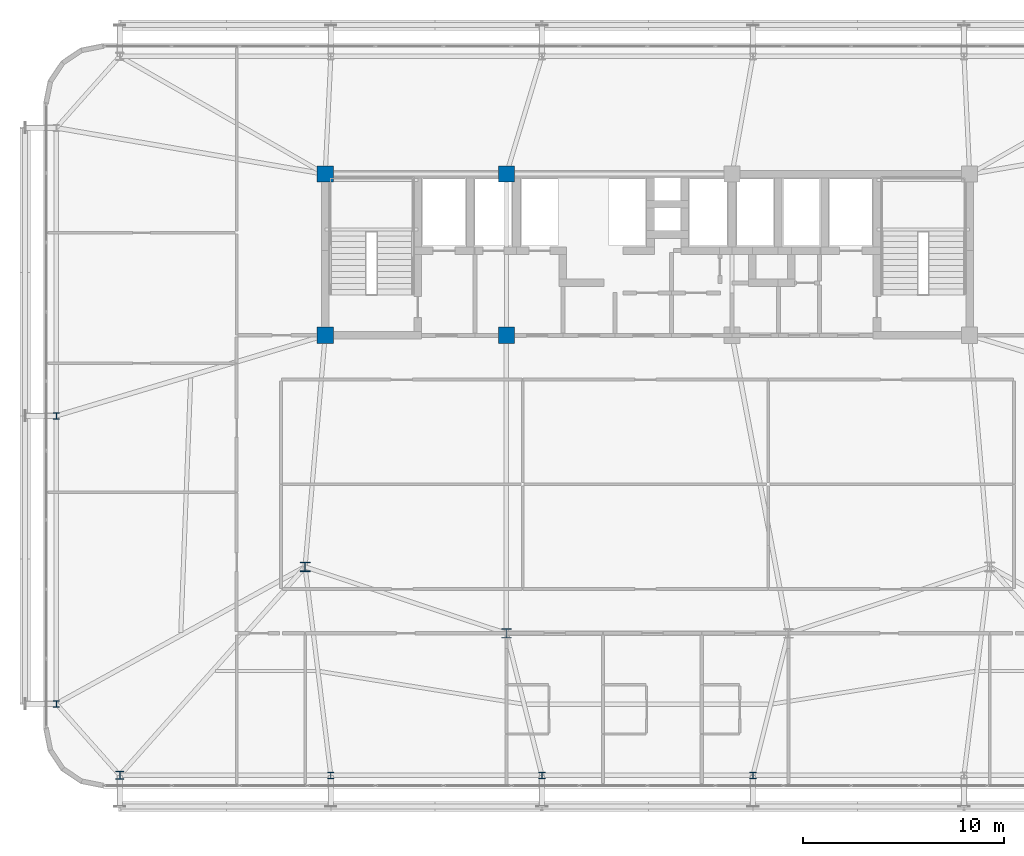
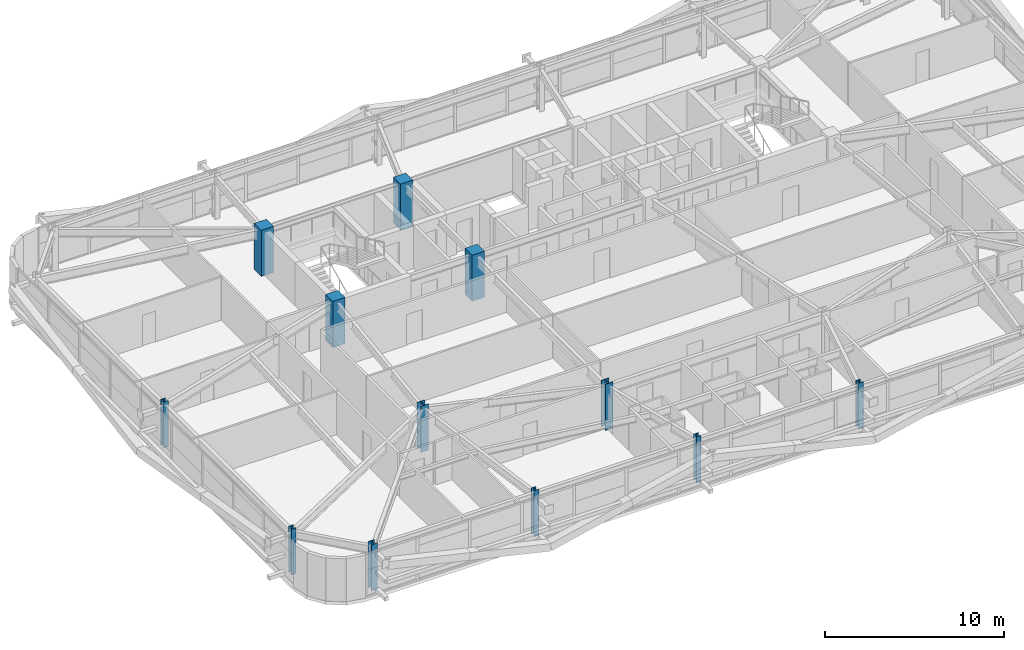
# One storey, part 1 of 59: 12 columns.
"""IFC4 building model written with IfcOpenShell, lengths in metres."""

from ifc_helpers import new_model, si_unit, direction, frame, origin, origin_2d, place, context, subcontext, project, spatial, rectangle, i_section, extrude, source, transform, mapped, material, material_profile, profile_set, type_object, element, save


model = new_model("IFC4")

# Units and contexts
model_context = context("Model", 3, precision=1e-05, world=origin(), true_north=direction((0.0, 1.0)))
body_context = subcontext(model_context, "Body", "Model", "MODEL_VIEW")
ifc_project = project(units=[si_unit("LENGTHUNIT", "METRE"), si_unit("AREAUNIT", "SQUARE_METRE"), si_unit("VOLUMEUNIT", "CUBIC_METRE"), si_unit("PLANEANGLEUNIT", "RADIAN"), si_unit("MASSUNIT", "GRAM", prefix="KILO")], contexts=[model_context])

# Site, building, storey
site_placement = place(None, origin())
site = spatial("IfcSite", under=ifc_project, at=site_placement, CompositionType="ELEMENT")
building_placement = place(site_placement, origin())
building = spatial("IfcBuilding", under=site, at=building_placement, Name="Taldren Reach Tower", CompositionType="ELEMENT")
storey_placement = place(building_placement, frame((0.0, 0.0, 45.14990234375)))
storey = spatial("IfcBuildingStorey", under=building, at=storey_placement, Name="L13", CompositionType="ELEMENT", Elevation=45.14990234375)

# Columns
ifc_material_1 = material(Name="Concrete S65 (65 MPa)", Category="concrete")
ifc_material_profile_1 = material_profile(ifc_material_1, rectangle(XDim=0.800048828125, YDim=0.800048828125, at=origin_2d()), Name="RC-800x800")
ifc_profile_set_1 = profile_set([ifc_material_profile_1], Name="Concrete S65 (65 MPa)")
column_type_1 = type_object("IfcColumnType", Name="COL-RC800", PredefinedType="COLUMN", material=ifc_profile_set_1)
shared_shape_1 = source(origin(), body_context, "Body", "SweptSolid", [
    extrude(rectangle(XDim=0.800048828125, YDim=0.800048828125, at=origin_2d()), origin(), (0.0, 0.0, 1.0), 3.150146484375),
])
for number, where, z_axis, x_axis, name in (
    (1, (19.0, 24.0, 0.0), (0.0, 0.0, 1.0), (1.0, 0.0, 0.0), "Mega column MC-C1 L13"),
    (2, (28.0, 24.0, 0.0), (0.0, 0.0, 1.0), (1.0, 0.0, 0.0), "Mega column MC-C2 L13"),
    (3, (19.0, 32.0, 0.0), (0.0, 0.0, 1.0), (1.0, 0.0, 0.0), "Mega column MC-C5 L13"),
    (4, (28.0, 32.0, 0.0), (0.0, 0.0, 1.0), (1.0, 0.0, 0.0), "Mega column MC-C6 L13"),
):
    element("IfcColumn", number, at=place(storey_placement, frame(where, z_axis=z_axis, x_axis=x_axis)), inside=storey, type_object=column_type_1, Name=name, PredefinedType="COLUMN", context=body_context, shape_type="MappedRepresentation", body=[
        mapped(shared_shape_1, transform((0.0, 0.0, 0.0), scale=1.0)),
    ])
ifc_material_2 = material(Name="Steel Gr 350 (350PLUS)", Category="steel")
ifc_material_profile_2 = material_profile(ifc_material_2, i_section(OverallWidth=0.5, OverallDepth=0.47998046875, WebThickness=0.028076171875, FlangeThickness=0.0439453125, at=origin_2d()), Name="500WC440")
ifc_profile_set_2 = profile_set([ifc_material_profile_2], Name="Steel Gr 350 (350PLUS)")
column_type_2 = type_object("IfcColumnType", Name="COL-WC500A", PredefinedType="COLUMN", material=ifc_profile_set_2)
shared_shape_2 = source(origin(), body_context, "Body", "SweptSolid", [
    extrude(i_section(OverallWidth=0.5, OverallDepth=0.47998046875, WebThickness=0.028076171875, FlangeThickness=0.0439453125, at=origin_2d()), origin(), (0.0, 0.0, 1.0), 3.150146484375),
])
column_1_placement = place(storey_placement, frame((28.0, 9.199951171875, 0.0), z_axis=(0.0, 0.0, 1.0), x_axis=(1.0, 0.0, 0.0)))
element("IfcColumn", 5, at=column_1_placement, inside=storey, type_object=column_type_2, Name="Mega column MC-PJW L13", PredefinedType="COLUMN", context=body_context, shape_type="MappedRepresentation", body=[
    mapped(shared_shape_2, transform((0.0, 0.0, 0.0), scale=1.0)),
])
ifc_material_profile_3 = material_profile(ifc_material_2, i_section(OverallWidth=0.39990234375, OverallDepth=0.39599609375, WebThickness=0.02197265625, FlangeThickness=0.033935546875, at=origin_2d()), Name="400WC270")
ifc_profile_set_3 = profile_set([ifc_material_profile_3], Name="Steel Gr 350 (350PLUS)")
column_type_3 = type_object("IfcColumnType", Name="COL-WC400", PredefinedType="COLUMN", material=ifc_profile_set_3)
shared_shape_3 = source(origin(), body_context, "Body", "SweptSolid", [
    extrude(i_section(OverallWidth=0.39990234375, OverallDepth=0.39599609375, WebThickness=0.02197265625, FlangeThickness=0.033935546875, at=origin_2d()), origin(), (0.0, 0.0, 1.0), 3.150146484375),
])
column_2_placement = place(storey_placement, frame((8.800048828125, 2.14990234375, 0.0), z_axis=(0.0, 0.0, 1.0), x_axis=(1.0, 0.0, 0.0)))
element("IfcColumn", 6, at=column_2_placement, inside=storey, type_object=column_type_3, Name="Block B1 perimeter column S1 L13", PredefinedType="COLUMN", context=body_context, shape_type="MappedRepresentation", body=[
    mapped(shared_shape_3, transform((0.0, 0.0, 0.0), scale=1.0)),
])
ifc_material_profile_4 = material_profile(ifc_material_2, i_section(OverallWidth=0.31103515625, OverallDepth=0.326904296875, WebThickness=0.015625, FlangeThickness=0.02490234375, at=origin_2d()), Name="310UC158")
ifc_profile_set_4 = profile_set([ifc_material_profile_4], Name="Steel Gr 350 (350PLUS)")
column_type_4 = type_object("IfcColumnType", Name="COL-UC310A", PredefinedType="COLUMN", material=ifc_profile_set_4)
shared_shape_4 = source(origin(), body_context, "Body", "SweptSolid", [
    extrude(i_section(OverallWidth=0.31103515625, OverallDepth=0.326904296875, WebThickness=0.015625, FlangeThickness=0.02490234375, at=origin_2d()), origin(), (0.0, 0.0, 1.0), 3.150146484375),
])
for number, where, z_axis, x_axis, name in (
    (7, (19.280029296875, 2.14990234375, 0.0), (0.0, 0.0, 1.0), (1.0, 0.0, 0.0), "Block B1 perimeter column S2 L13"),
    (8, (29.760009765625, 2.14990234375, 0.0), (0.0, 0.0, 1.0), (1.0, 0.0, 0.0), "Block B1 perimeter column S3 L13"),
    (9, (40.239990234375, 2.14990234375, 0.0), (0.0, 0.0, 1.0), (1.0, 0.0, 0.0), "Block B1 perimeter column S4 L13"),
    (10, (5.64990234375, 5.699951171875, 0.0), (0.0, 0.0, 1.0), (1.0, 0.0, 0.0), "Block B1 perimeter column W1 L13"),
    (11, (5.64990234375, 20.0, 0.0), (0.0, 0.0, 1.0), (1.0, 0.0, 0.0), "Block B1 perimeter column W2 L13"),
):
    element("IfcColumn", number, at=place(storey_placement, frame(where, z_axis=z_axis, x_axis=x_axis)), inside=storey, type_object=column_type_4, Name=name, PredefinedType="COLUMN", context=body_context, shape_type="MappedRepresentation", body=[
        mapped(shared_shape_4, transform((0.0, 0.0, 0.0), scale=1.0)),
    ])
ifc_material_profile_5 = material_profile(ifc_material_2, i_section(OverallWidth=0.5, OverallDepth=0.464111328125, WebThickness=0.02197265625, FlangeThickness=0.033935546875, at=origin_2d()), Name="500WC340")
ifc_profile_set_5 = profile_set([ifc_material_profile_5], Name="Steel Gr 350 (350PLUS)")
column_type_5 = type_object("IfcColumnType", Name="COL-WC500B", PredefinedType="COLUMN", material=ifc_profile_set_5)
shared_shape_5 = source(origin(), body_context, "Body", "SweptSolid", [
    extrude(i_section(OverallWidth=0.5, OverallDepth=0.464111328125, WebThickness=0.02197265625, FlangeThickness=0.033935546875, at=origin_2d()), origin(), (0.0, 0.0, 1.0), 3.150146484375),
])
column_3_placement = place(storey_placement, frame((18.0, 12.5, 0.0), z_axis=(0.0, 0.0, 1.0), x_axis=(1.0, 0.0, 0.0)))
element("IfcColumn", 12, at=column_3_placement, inside=storey, type_object=column_type_5, Name="Mega column MC-SW L13", PredefinedType="COLUMN", context=body_context, shape_type="MappedRepresentation", body=[
    mapped(shared_shape_5, transform((0.0, 0.0, 0.0), scale=1.0)),
])

save(model, "model.ifc")
